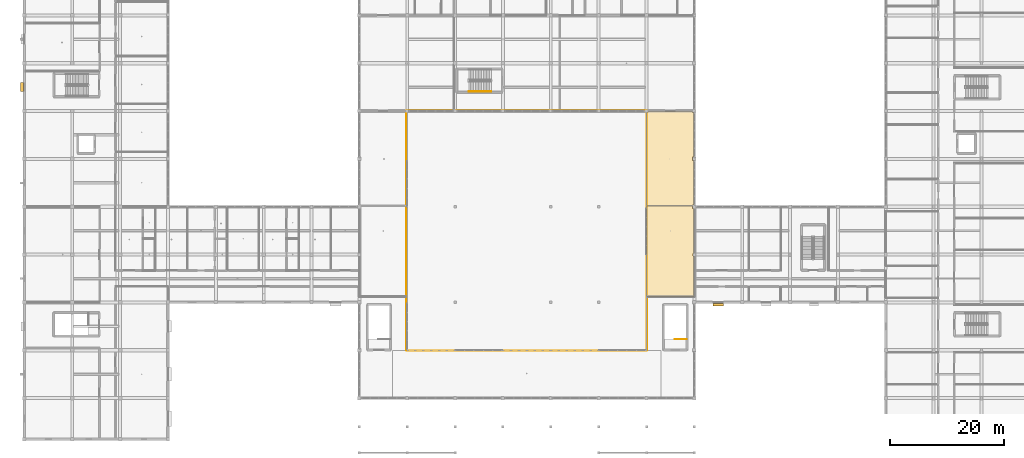
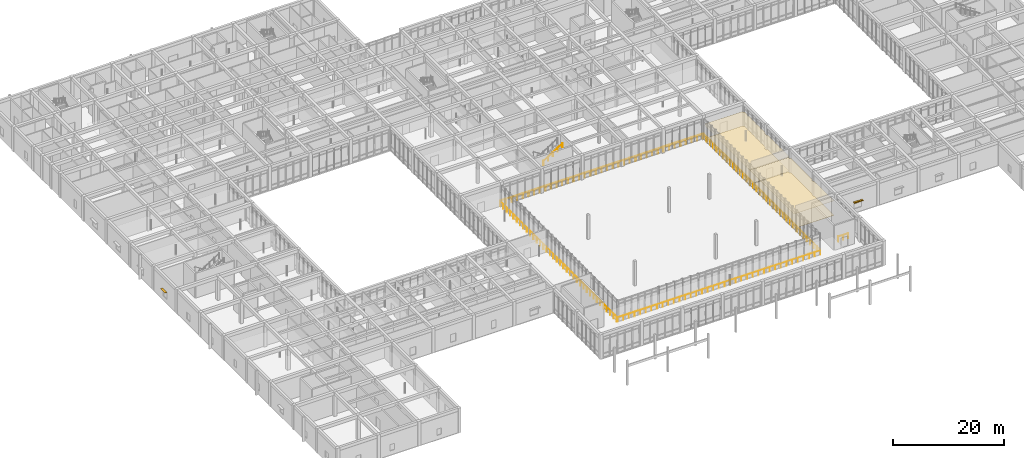
# One storey, part 136 of 157: 6 railings, 4 coverings, 2 shading devices.
"""IFC4 building model written with IfcOpenShell, lengths in metres."""

from ifc_helpers import new_model, si_unit, direction, frame, origin, origin_2d, place, context, subcontext, project, spatial, polyline, rectangle, circle, outline, extrude, material, layer, layer_set, type_object, element, save


model = new_model("IFC4")

# Units and contexts
model_context = context("Model", 3, precision=1e-05, world=origin(), true_north=direction((0.0, 1.0)))
body_context = subcontext(model_context, "Body", "Model", "MODEL_VIEW")
ifc_project = project(units=[si_unit("LENGTHUNIT", "METRE"), si_unit("AREAUNIT", "SQUARE_METRE"), si_unit("VOLUMEUNIT", "CUBIC_METRE"), si_unit("PLANEANGLEUNIT", "RADIAN"), si_unit("MASSUNIT", "GRAM", prefix="KILO")], contexts=[model_context])

# Site, building, storey
site_placement = place(None, origin())
site = spatial("IfcSite", under=ifc_project, at=site_placement, CompositionType="ELEMENT")
building_placement = place(site_placement, origin())
building = spatial("IfcBuilding", under=site, at=building_placement, Name="Varncliffe General Hospital", CompositionType="ELEMENT")
storey_placement = place(building_placement, frame((0.0, 0.0, 5.39990234375)))
storey = spatial("IfcBuildingStorey", under=building, at=storey_placement, Name="L01", CompositionType="ELEMENT", Elevation=5.39990234375)

# Coverings
ifc_material_1 = material(Name="Hygienic antimicrobial acoustic suspended ceiling tile", Category="gypsum")
ifc_layer_1 = layer(ifc_material_1, 0.02490234375)
ifc_layer_set_1 = layer_set([ifc_layer_1], Name="Hygienic antimicrobial acoustic suspended ceiling tile")
covering_type_1 = type_object("IfcCoveringType", Name="Antimicrobial Acoustic Suspended Ceiling CLG44", PredefinedType="CEILING", material=ifc_layer_set_1)
covering_1_placement = place(storey_placement, frame((0.0, 0.0, 3.175048828125)))
element("IfcCovering", 1, at=covering_1_placement, inside=storey, type_object=covering_type_1, Name="L01 Medical Health Sciences Library Suspended Ceiling", PredefinedType="CEILING", context=body_context, shape_type="SweptSolid", body=[
    extrude(outline(polyline([(109.239990234375, 25.0400390625), (109.239990234375, 40.9599609375), (117.300048828125, 40.9599609375), (117.300048828125, 40.5), (117.56005859375, 40.5), (117.56005859375, 32.625), (117.375, 32.625), (117.375, 32.175048828125), (117.56005859375, 32.175048828125), (117.56005859375, 25.0400390625), (109.239990234375, 25.0400390625)])), origin(), (0.0, 0.0, 1.0), 0.025146484375),
])
covering_2_placement = place(storey_placement, frame((0.0, 0.0, 3.175048828125)))
element("IfcCovering", 2, at=covering_2_placement, inside=storey, type_object=covering_type_1, Name="L01 Patient Education and Family Resource Lounge Suspended Ceiling", PredefinedType="CEILING", context=body_context, shape_type="SweptSolid", body=[
    extrude(outline(polyline([(117.300048828125, 41.0400390625), (109.239990234375, 41.0400390625), (109.239990234375, 57.300048828125), (109.5, 57.300048828125), (109.5, 57.56005859375), (117.300048828125, 57.56005859375), (117.300048828125, 57.300048828125), (117.56005859375, 57.300048828125), (117.56005859375, 49.5), (117.300048828125, 49.5), (117.300048828125, 48.89990234375), (117.56005859375, 48.89990234375), (117.56005859375, 41.10009765625), (117.300048828125, 41.10009765625), (117.300048828125, 41.0400390625)])), origin(), (0.0, 0.0, 1.0), 0.025146484375),
])

# Shading devices
ifc_material_2 = material(Name="Dark bronze extruded aluminium solar jalousie louvres", Category="aluminium")
ifc_layer_2 = layer(ifc_material_2, 0.080078125)
ifc_layer_set_2 = layer_set([ifc_layer_2], Name="Dark bronze extruded aluminium solar jalousie louvres")
shading_device_type = type_object("IfcShadingDeviceType", Name="Bronze Solar Jalousie Louvre Hood SHD18", PredefinedType="JALOUSIE", material=ifc_layer_set_2)
shading_device_1_placement = place(storey_placement, frame((-0.425048828125, 61.800048828125, 2.4599609375), z_axis=(0.0, 0.0, 1.0), x_axis=(0.0, 1.0, 0.0)))
element("IfcShadingDevice", 3, at=shading_device_1_placement, inside=storey, type_object=shading_device_type, Name="L01 Bronze Window Sun-Shading Louvre 23", PredefinedType="JALOUSIE", context=body_context, shape_type="SweptSolid", body=[
    extrude(rectangle(XDim=1.550048828125, YDim=0.449951171875, at=origin_2d()), origin(), (0.0, 0.0, 1.0), 0.080078125),
])
shading_device_2_placement = place(storey_placement, frame((121.800048828125, 23.60009765625, 2.4599609375), z_axis=(0.0, 0.0, 1.0), x_axis=(-1.0, 0.0, 0.0)))
element("IfcShadingDevice", 4, at=shading_device_2_placement, inside=storey, type_object=shading_device_type, Name="L01 Bronze Window Sun-Shading Louvre 42", PredefinedType="JALOUSIE", context=body_context, shape_type="SweptSolid", body=[
    extrude(rectangle(XDim=1.85009765625, YDim=0.449951171875, at=origin_2d()), origin(), (0.0, 0.0, 1.0), 0.080078125),
])

# Coverings
ifc_material_3 = material(Name="Seamless welded hospital sheet linoleum and terrazzo flooring", Category="linoleum")
ifc_layer_3 = layer(ifc_material_3, 0.011962890625)
ifc_layer_set_3 = layer_set([ifc_layer_3], Name="Seamless welded hospital sheet linoleum and terrazzo flooring")
covering_type_2 = type_object("IfcCoveringType", Name="Seamless Hospital Linoleum Flooring FLR19", PredefinedType="FLOORING", material=ifc_layer_set_3)
covering_3_placement = place(storey_placement, origin())
element("IfcCovering", 5, at=covering_3_placement, inside=storey, type_object=covering_type_2, Name="L01 Medical Health Sciences Library Seamless Flooring", PredefinedType="FLOORING", context=body_context, shape_type="SweptSolid", body=[
    extrude(outline(polyline([(109.239990234375, 25.0400390625), (109.239990234375, 40.9599609375), (117.300048828125, 40.9599609375), (117.300048828125, 40.5), (117.56005859375, 40.5), (117.56005859375, 32.625), (117.375, 32.625), (117.375, 32.175048828125), (117.56005859375, 32.175048828125), (117.56005859375, 25.0400390625), (109.239990234375, 25.0400390625)])), origin(), (0.0, 0.0, 1.0), 0.01220703125),
])
covering_4_placement = place(storey_placement, origin())
element("IfcCovering", 6, at=covering_4_placement, inside=storey, type_object=covering_type_2, Name="L01 Patient Education and Family Resource Lounge Seamless Flooring", PredefinedType="FLOORING", context=body_context, shape_type="SweptSolid", body=[
    extrude(outline(polyline([(117.300048828125, 41.0400390625), (109.239990234375, 41.0400390625), (109.239990234375, 57.300048828125), (109.5, 57.300048828125), (109.5, 57.56005859375), (117.300048828125, 57.56005859375), (117.300048828125, 57.300048828125), (117.56005859375, 57.300048828125), (117.56005859375, 49.5), (117.300048828125, 49.5), (117.300048828125, 48.89990234375), (117.56005859375, 48.89990234375), (117.56005859375, 41.10009765625), (117.300048828125, 41.10009765625), (117.300048828125, 41.0400390625)])), origin(), (0.0, 0.0, 1.0), 0.01220703125),
])

# Railings
ifc_material_4 = material(Name="Powder-coated wrought-iron and bronze balustrade", Category="steel")
railing_type_1 = type_object("IfcRailingType", Name="Spanish Colonial Wrought-Iron Terrace Balustrade BL44", PredefinedType="BALUSTRADE", material=ifc_material_4)
railing_1_placement = place(storey_placement, frame((67.1201171875, 15.52001953125, 0.0)))
element("IfcRailing", 7, at=railing_1_placement, inside=storey, type_object=railing_type_1, Name="L01 Main Hall Concourse Overlook Balustrade 1", PredefinedType="BALUSTRADE", context=body_context, shape_type="SweptSolid", body=[
    extrude(circle(Radius=0.02392578125, at=origin_2d()), frame((0.0, 0.0, 1.076171875), z_axis=(1.0, 0.0, 0.0), x_axis=(0.0, 1.0, 0.0)), (0.0, 0.0, 1.0), 42.079833984375),
    extrude(circle(Radius=0.02099609375, at=origin_2d()), origin(), (0.0, 0.0, 1.0), 1.052001953125),
    extrude(circle(Radius=0.02099609375, at=origin_2d()), frame((1.1689453125, 0.0, 0.0)), (0.0, 0.0, 1.0), 1.052001953125),
    extrude(circle(Radius=0.02099609375, at=origin_2d()), frame((2.337890625, 0.0, 0.0)), (0.0, 0.0, 1.0), 1.052001953125),
    extrude(circle(Radius=0.02099609375, at=origin_2d()), frame((3.506591796875, 0.0, 0.0)), (0.0, 0.0, 1.0), 1.052001953125),
    extrude(circle(Radius=0.02099609375, at=origin_2d()), frame((4.675537109375, 0.0, 0.0)), (0.0, 0.0, 1.0), 1.052001953125),
    extrude(circle(Radius=0.02099609375, at=origin_2d()), frame((5.844482421875, 0.0, 0.0)), (0.0, 0.0, 1.0), 1.052001953125),
    extrude(circle(Radius=0.02099609375, at=origin_2d()), frame((7.01318359375, 0.0, 0.0)), (0.0, 0.0, 1.0), 1.052001953125),
    extrude(circle(Radius=0.02099609375, at=origin_2d()), frame((8.18212890625, 0.0, 0.0)), (0.0, 0.0, 1.0), 1.052001953125),
    extrude(circle(Radius=0.02099609375, at=origin_2d()), frame((9.35107421875, 0.0, 0.0)), (0.0, 0.0, 1.0), 1.052001953125),
    extrude(circle(Radius=0.02099609375, at=origin_2d()), frame((10.52001953125, 0.0, 0.0)), (0.0, 0.0, 1.0), 1.052001953125),
    extrude(circle(Radius=0.02099609375, at=origin_2d()), frame((11.68896484375, 0.0, 0.0)), (0.0, 0.0, 1.0), 1.052001953125),
    extrude(circle(Radius=0.02099609375, at=origin_2d()), frame((12.857666015625, 0.0, 0.0)), (0.0, 0.0, 1.0), 1.052001953125),
    extrude(circle(Radius=0.02099609375, at=origin_2d()), frame((14.026611328125, 0.0, 0.0)), (0.0, 0.0, 1.0), 1.052001953125),
    extrude(circle(Radius=0.02099609375, at=origin_2d()), frame((15.195556640625, 0.0, 0.0)), (0.0, 0.0, 1.0), 1.052001953125),
    extrude(circle(Radius=0.02099609375, at=origin_2d()), frame((16.3642578125, 0.0, 0.0)), (0.0, 0.0, 1.0), 1.052001953125),
    extrude(circle(Radius=0.02099609375, at=origin_2d()), frame((17.533203125, 0.0, 0.0)), (0.0, 0.0, 1.0), 1.052001953125),
    extrude(circle(Radius=0.02099609375, at=origin_2d()), frame((18.7021484375, 0.0, 0.0)), (0.0, 0.0, 1.0), 1.052001953125),
    extrude(circle(Radius=0.02099609375, at=origin_2d()), frame((19.87109375, 0.0, 0.0)), (0.0, 0.0, 1.0), 1.052001953125),
    extrude(circle(Radius=0.02099609375, at=origin_2d()), frame((21.0400390625, 0.0, 0.0)), (0.0, 0.0, 1.0), 1.052001953125),
    extrude(circle(Radius=0.02099609375, at=origin_2d()), frame((22.208740234375, 0.0, 0.0)), (0.0, 0.0, 1.0), 1.052001953125),
    extrude(circle(Radius=0.02099609375, at=origin_2d()), frame((23.377685546875, 0.0, 0.0)), (0.0, 0.0, 1.0), 1.052001953125),
    extrude(circle(Radius=0.02099609375, at=origin_2d()), frame((24.546630859375, 0.0, 0.0)), (0.0, 0.0, 1.0), 1.052001953125),
    extrude(circle(Radius=0.02099609375, at=origin_2d()), frame((25.715576171875, 0.0, 0.0)), (0.0, 0.0, 1.0), 1.052001953125),
    extrude(circle(Radius=0.02099609375, at=origin_2d()), frame((26.88427734375, 0.0, 0.0)), (0.0, 0.0, 1.0), 1.052001953125),
    extrude(circle(Radius=0.02099609375, at=origin_2d()), frame((28.05322265625, 0.0, 0.0)), (0.0, 0.0, 1.0), 1.052001953125),
    extrude(circle(Radius=0.02099609375, at=origin_2d()), frame((29.22216796875, 0.0, 0.0)), (0.0, 0.0, 1.0), 1.052001953125),
    extrude(circle(Radius=0.02099609375, at=origin_2d()), frame((30.39111328125, 0.0, 0.0)), (0.0, 0.0, 1.0), 1.052001953125),
    extrude(circle(Radius=0.02099609375, at=origin_2d()), frame((31.559814453125, 0.0, 0.0)), (0.0, 0.0, 1.0), 1.052001953125),
    extrude(circle(Radius=0.02099609375, at=origin_2d()), frame((32.728759765625, 0.0, 0.0)), (0.0, 0.0, 1.0), 1.052001953125),
    extrude(circle(Radius=0.02099609375, at=origin_2d()), frame((33.897705078125, 0.0, 0.0)), (0.0, 0.0, 1.0), 1.052001953125),
    extrude(circle(Radius=0.02099609375, at=origin_2d()), frame((35.06640625, 0.0, 0.0)), (0.0, 0.0, 1.0), 1.052001953125),
    extrude(circle(Radius=0.02099609375, at=origin_2d()), frame((36.2353515625, 0.0, 0.0)), (0.0, 0.0, 1.0), 1.052001953125),
    extrude(circle(Radius=0.02099609375, at=origin_2d()), frame((37.404296875, 0.0, 0.0)), (0.0, 0.0, 1.0), 1.052001953125),
    extrude(circle(Radius=0.02099609375, at=origin_2d()), frame((38.5732421875, 0.0, 0.0)), (0.0, 0.0, 1.0), 1.052001953125),
    extrude(circle(Radius=0.02099609375, at=origin_2d()), frame((39.7421875, 0.0, 0.0)), (0.0, 0.0, 1.0), 1.052001953125),
    extrude(circle(Radius=0.02099609375, at=origin_2d()), frame((40.910888671875, 0.0, 0.0)), (0.0, 0.0, 1.0), 1.052001953125),
    extrude(circle(Radius=0.02099609375, at=origin_2d()), frame((42.079833984375, 0.0, 0.0)), (0.0, 0.0, 1.0), 1.052001953125),
])
railing_2_placement = place(storey_placement, frame((109.280029296875, 15.60009765625, 0.0)))
element("IfcRailing", 8, at=railing_2_placement, inside=storey, type_object=railing_type_1, Name="L01 Main Hall Concourse Overlook Balustrade 2", PredefinedType="BALUSTRADE", context=body_context, shape_type="SweptSolid", body=[
    extrude(circle(Radius=0.02392578125, at=origin_2d()), frame((0.0, 0.0, 1.076171875), z_axis=(0.0, 1.0, 0.0), x_axis=(-1.0, 0.0, 0.0)), (0.0, 0.0, 1.0), 42.0),
    extrude(circle(Radius=0.02099609375, at=origin_2d()), origin(), (0.0, 0.0, 1.0), 1.052001953125),
    extrude(circle(Radius=0.02099609375, at=origin_2d()), frame((0.0, 1.199951171875, 0.0)), (0.0, 0.0, 1.0), 1.052001953125),
    extrude(circle(Radius=0.02099609375, at=origin_2d()), frame((0.0, 2.39990234375, 0.0)), (0.0, 0.0, 1.0), 1.052001953125),
    extrude(circle(Radius=0.02099609375, at=origin_2d()), frame((0.0, 3.60009765625, 0.0)), (0.0, 0.0, 1.0), 1.052001953125),
    extrude(circle(Radius=0.02099609375, at=origin_2d()), frame((0.0, 4.800048828125, 0.0)), (0.0, 0.0, 1.0), 1.052001953125),
    extrude(circle(Radius=0.02099609375, at=origin_2d()), frame((0.0, 6.0, 0.0)), (0.0, 0.0, 1.0), 1.052001953125),
    extrude(circle(Radius=0.02099609375, at=origin_2d()), frame((0.0, 7.199951171875, 0.0)), (0.0, 0.0, 1.0), 1.052001953125),
    extrude(circle(Radius=0.02099609375, at=origin_2d()), frame((0.0, 8.39990234375, 0.0)), (0.0, 0.0, 1.0), 1.052001953125),
    extrude(circle(Radius=0.02099609375, at=origin_2d()), frame((0.0, 9.60009765625, 0.0)), (0.0, 0.0, 1.0), 1.052001953125),
    extrude(circle(Radius=0.02099609375, at=origin_2d()), frame((0.0, 10.800048828125, 0.0)), (0.0, 0.0, 1.0), 1.052001953125),
    extrude(circle(Radius=0.02099609375, at=origin_2d()), frame((0.0, 12.0, 0.0)), (0.0, 0.0, 1.0), 1.052001953125),
    extrude(circle(Radius=0.02099609375, at=origin_2d()), frame((0.0, 13.199951171875, 0.0)), (0.0, 0.0, 1.0), 1.052001953125),
    extrude(circle(Radius=0.02099609375, at=origin_2d()), frame((0.0, 14.39990234375, 0.0)), (0.0, 0.0, 1.0), 1.052001953125),
    extrude(circle(Radius=0.02099609375, at=origin_2d()), frame((0.0, 15.60009765625, 0.0)), (0.0, 0.0, 1.0), 1.052001953125),
    extrude(circle(Radius=0.02099609375, at=origin_2d()), frame((0.0, 16.800048828125, 0.0)), (0.0, 0.0, 1.0), 1.052001953125),
    extrude(circle(Radius=0.02099609375, at=origin_2d()), frame((0.0, 18.0, 0.0)), (0.0, 0.0, 1.0), 1.052001953125),
    extrude(circle(Radius=0.02099609375, at=origin_2d()), frame((0.0, 19.199951171875, 0.0)), (0.0, 0.0, 1.0), 1.052001953125),
    extrude(circle(Radius=0.02099609375, at=origin_2d()), frame((0.0, 20.39990234375, 0.0)), (0.0, 0.0, 1.0), 1.052001953125),
    extrude(circle(Radius=0.02099609375, at=origin_2d()), frame((0.0, 21.60009765625, 0.0)), (0.0, 0.0, 1.0), 1.052001953125),
    extrude(circle(Radius=0.02099609375, at=origin_2d()), frame((0.0, 22.800048828125, 0.0)), (0.0, 0.0, 1.0), 1.052001953125),
    extrude(circle(Radius=0.02099609375, at=origin_2d()), frame((0.0, 24.0, 0.0)), (0.0, 0.0, 1.0), 1.052001953125),
    extrude(circle(Radius=0.02099609375, at=origin_2d()), frame((0.0, 25.199951171875, 0.0)), (0.0, 0.0, 1.0), 1.052001953125),
    extrude(circle(Radius=0.02099609375, at=origin_2d()), frame((0.0, 26.39990234375, 0.0)), (0.0, 0.0, 1.0), 1.052001953125),
    extrude(circle(Radius=0.02099609375, at=origin_2d()), frame((0.0, 27.60009765625, 0.0)), (0.0, 0.0, 1.0), 1.052001953125),
    extrude(circle(Radius=0.02099609375, at=origin_2d()), frame((0.0, 28.800048828125, 0.0)), (0.0, 0.0, 1.0), 1.052001953125),
    extrude(circle(Radius=0.02099609375, at=origin_2d()), frame((0.0, 30.0, 0.0)), (0.0, 0.0, 1.0), 1.052001953125),
    extrude(circle(Radius=0.02099609375, at=origin_2d()), frame((0.0, 31.199951171875, 0.0)), (0.0, 0.0, 1.0), 1.052001953125),
    extrude(circle(Radius=0.02099609375, at=origin_2d()), frame((0.0, 32.39990234375, 0.0)), (0.0, 0.0, 1.0), 1.052001953125),
    extrude(circle(Radius=0.02099609375, at=origin_2d()), frame((0.0, 33.60009765625, 0.0)), (0.0, 0.0, 1.0), 1.052001953125),
    extrude(circle(Radius=0.02099609375, at=origin_2d()), frame((0.0, 34.800048828125, 0.0)), (0.0, 0.0, 1.0), 1.052001953125),
    extrude(circle(Radius=0.02099609375, at=origin_2d()), frame((0.0, 36.0, 0.0)), (0.0, 0.0, 1.0), 1.052001953125),
    extrude(circle(Radius=0.02099609375, at=origin_2d()), frame((0.0, 37.199951171875, 0.0)), (0.0, 0.0, 1.0), 1.052001953125),
    extrude(circle(Radius=0.02099609375, at=origin_2d()), frame((0.0, 38.39990234375, 0.0)), (0.0, 0.0, 1.0), 1.052001953125),
    extrude(circle(Radius=0.02099609375, at=origin_2d()), frame((0.0, 39.60009765625, 0.0)), (0.0, 0.0, 1.0), 1.052001953125),
    extrude(circle(Radius=0.02099609375, at=origin_2d()), frame((0.0, 40.800048828125, 0.0)), (0.0, 0.0, 1.0), 1.052001953125),
    extrude(circle(Radius=0.02099609375, at=origin_2d()), frame((0.0, 42.0, 0.0)), (0.0, 0.0, 1.0), 1.052001953125),
])
railing_3_placement = place(storey_placement, frame((109.199951171875, 57.679931640625, 0.0)))
element("IfcRailing", 9, at=railing_3_placement, inside=storey, type_object=railing_type_1, Name="L01 Main Hall Concourse Overlook Balustrade 3", PredefinedType="BALUSTRADE", context=body_context, shape_type="SweptSolid", body=[
    extrude(circle(Radius=0.02392578125, at=origin_2d()), frame((0.0, 0.0, 1.076171875), z_axis=(-1.0, 0.0, 0.0), x_axis=(0.0, -1.0, 0.0)), (0.0, 0.0, 1.0), 42.079833984375),
    extrude(circle(Radius=0.02099609375, at=origin_2d()), origin(), (0.0, 0.0, 1.0), 1.052001953125),
    extrude(circle(Radius=0.02099609375, at=origin_2d()), frame((-1.1689453125, 0.0, 0.0)), (0.0, 0.0, 1.0), 1.052001953125),
    extrude(circle(Radius=0.02099609375, at=origin_2d()), frame((-2.337890625, 0.0, 0.0)), (0.0, 0.0, 1.0), 1.052001953125),
    extrude(circle(Radius=0.02099609375, at=origin_2d()), frame((-3.506591796875, 0.0, 0.0)), (0.0, 0.0, 1.0), 1.052001953125),
    extrude(circle(Radius=0.02099609375, at=origin_2d()), frame((-4.675537109375, 0.0, 0.0)), (0.0, 0.0, 1.0), 1.052001953125),
    extrude(circle(Radius=0.02099609375, at=origin_2d()), frame((-5.844482421875, 0.0, 0.0)), (0.0, 0.0, 1.0), 1.052001953125),
    extrude(circle(Radius=0.02099609375, at=origin_2d()), frame((-7.01318359375, 0.0, 0.0)), (0.0, 0.0, 1.0), 1.052001953125),
    extrude(circle(Radius=0.02099609375, at=origin_2d()), frame((-8.18212890625, 0.0, 0.0)), (0.0, 0.0, 1.0), 1.052001953125),
    extrude(circle(Radius=0.02099609375, at=origin_2d()), frame((-9.35107421875, 0.0, 0.0)), (0.0, 0.0, 1.0), 1.052001953125),
    extrude(circle(Radius=0.02099609375, at=origin_2d()), frame((-10.52001953125, 0.0, 0.0)), (0.0, 0.0, 1.0), 1.052001953125),
    extrude(circle(Radius=0.02099609375, at=origin_2d()), frame((-11.68896484375, 0.0, 0.0)), (0.0, 0.0, 1.0), 1.052001953125),
    extrude(circle(Radius=0.02099609375, at=origin_2d()), frame((-12.857666015625, 0.0, 0.0)), (0.0, 0.0, 1.0), 1.052001953125),
    extrude(circle(Radius=0.02099609375, at=origin_2d()), frame((-14.026611328125, 0.0, 0.0)), (0.0, 0.0, 1.0), 1.052001953125),
    extrude(circle(Radius=0.02099609375, at=origin_2d()), frame((-15.195556640625, 0.0, 0.0)), (0.0, 0.0, 1.0), 1.052001953125),
    extrude(circle(Radius=0.02099609375, at=origin_2d()), frame((-16.3642578125, 0.0, 0.0)), (0.0, 0.0, 1.0), 1.052001953125),
    extrude(circle(Radius=0.02099609375, at=origin_2d()), frame((-17.533203125, 0.0, 0.0)), (0.0, 0.0, 1.0), 1.052001953125),
    extrude(circle(Radius=0.02099609375, at=origin_2d()), frame((-18.7021484375, 0.0, 0.0)), (0.0, 0.0, 1.0), 1.052001953125),
    extrude(circle(Radius=0.02099609375, at=origin_2d()), frame((-19.87109375, 0.0, 0.0)), (0.0, 0.0, 1.0), 1.052001953125),
    extrude(circle(Radius=0.02099609375, at=origin_2d()), frame((-21.0400390625, 0.0, 0.0)), (0.0, 0.0, 1.0), 1.052001953125),
    extrude(circle(Radius=0.02099609375, at=origin_2d()), frame((-22.208740234375, 0.0, 0.0)), (0.0, 0.0, 1.0), 1.052001953125),
    extrude(circle(Radius=0.02099609375, at=origin_2d()), frame((-23.377685546875, 0.0, 0.0)), (0.0, 0.0, 1.0), 1.052001953125),
    extrude(circle(Radius=0.02099609375, at=origin_2d()), frame((-24.546630859375, 0.0, 0.0)), (0.0, 0.0, 1.0), 1.052001953125),
    extrude(circle(Radius=0.02099609375, at=origin_2d()), frame((-25.715576171875, 0.0, 0.0)), (0.0, 0.0, 1.0), 1.052001953125),
    extrude(circle(Radius=0.02099609375, at=origin_2d()), frame((-26.88427734375, 0.0, 0.0)), (0.0, 0.0, 1.0), 1.052001953125),
    extrude(circle(Radius=0.02099609375, at=origin_2d()), frame((-28.05322265625, 0.0, 0.0)), (0.0, 0.0, 1.0), 1.052001953125),
    extrude(circle(Radius=0.02099609375, at=origin_2d()), frame((-29.22216796875, 0.0, 0.0)), (0.0, 0.0, 1.0), 1.052001953125),
    extrude(circle(Radius=0.02099609375, at=origin_2d()), frame((-30.39111328125, 0.0, 0.0)), (0.0, 0.0, 1.0), 1.052001953125),
    extrude(circle(Radius=0.02099609375, at=origin_2d()), frame((-31.559814453125, 0.0, 0.0)), (0.0, 0.0, 1.0), 1.052001953125),
    extrude(circle(Radius=0.02099609375, at=origin_2d()), frame((-32.728759765625, 0.0, 0.0)), (0.0, 0.0, 1.0), 1.052001953125),
    extrude(circle(Radius=0.02099609375, at=origin_2d()), frame((-33.897705078125, 0.0, 0.0)), (0.0, 0.0, 1.0), 1.052001953125),
    extrude(circle(Radius=0.02099609375, at=origin_2d()), frame((-35.06640625, 0.0, 0.0)), (0.0, 0.0, 1.0), 1.052001953125),
    extrude(circle(Radius=0.02099609375, at=origin_2d()), frame((-36.2353515625, 0.0, 0.0)), (0.0, 0.0, 1.0), 1.052001953125),
    extrude(circle(Radius=0.02099609375, at=origin_2d()), frame((-37.404296875, 0.0, 0.0)), (0.0, 0.0, 1.0), 1.052001953125),
    extrude(circle(Radius=0.02099609375, at=origin_2d()), frame((-38.5732421875, 0.0, 0.0)), (0.0, 0.0, 1.0), 1.052001953125),
    extrude(circle(Radius=0.02099609375, at=origin_2d()), frame((-39.7421875, 0.0, 0.0)), (0.0, 0.0, 1.0), 1.052001953125),
    extrude(circle(Radius=0.02099609375, at=origin_2d()), frame((-40.910888671875, 0.0, 0.0)), (0.0, 0.0, 1.0), 1.052001953125),
    extrude(circle(Radius=0.02099609375, at=origin_2d()), frame((-42.079833984375, 0.0, 0.0)), (0.0, 0.0, 1.0), 1.052001953125),
])
railing_4_placement = place(storey_placement, frame((67.0400390625, 57.60009765625, 0.0)))
element("IfcRailing", 10, at=railing_4_placement, inside=storey, type_object=railing_type_1, Name="L01 Main Hall Concourse Overlook Balustrade 4", PredefinedType="BALUSTRADE", context=body_context, shape_type="SweptSolid", body=[
    extrude(circle(Radius=0.02392578125, at=origin_2d()), frame((0.0, 0.0, 1.076171875), z_axis=(0.0, -1.0, 0.0), x_axis=(1.0, 0.0, 0.0)), (0.0, 0.0, 1.0), 42.0),
    extrude(circle(Radius=0.02099609375, at=origin_2d()), origin(), (0.0, 0.0, 1.0), 1.052001953125),
    extrude(circle(Radius=0.02099609375, at=origin_2d()), frame((0.0, -1.199951171875, 0.0)), (0.0, 0.0, 1.0), 1.052001953125),
    extrude(circle(Radius=0.02099609375, at=origin_2d()), frame((0.0, -2.39990234375, 0.0)), (0.0, 0.0, 1.0), 1.052001953125),
    extrude(circle(Radius=0.02099609375, at=origin_2d()), frame((0.0, -3.60009765625, 0.0)), (0.0, 0.0, 1.0), 1.052001953125),
    extrude(circle(Radius=0.02099609375, at=origin_2d()), frame((0.0, -4.800048828125, 0.0)), (0.0, 0.0, 1.0), 1.052001953125),
    extrude(circle(Radius=0.02099609375, at=origin_2d()), frame((0.0, -6.0, 0.0)), (0.0, 0.0, 1.0), 1.052001953125),
    extrude(circle(Radius=0.02099609375, at=origin_2d()), frame((0.0, -7.199951171875, 0.0)), (0.0, 0.0, 1.0), 1.052001953125),
    extrude(circle(Radius=0.02099609375, at=origin_2d()), frame((0.0, -8.39990234375, 0.0)), (0.0, 0.0, 1.0), 1.052001953125),
    extrude(circle(Radius=0.02099609375, at=origin_2d()), frame((0.0, -9.60009765625, 0.0)), (0.0, 0.0, 1.0), 1.052001953125),
    extrude(circle(Radius=0.02099609375, at=origin_2d()), frame((0.0, -10.800048828125, 0.0)), (0.0, 0.0, 1.0), 1.052001953125),
    extrude(circle(Radius=0.02099609375, at=origin_2d()), frame((0.0, -12.0, 0.0)), (0.0, 0.0, 1.0), 1.052001953125),
    extrude(circle(Radius=0.02099609375, at=origin_2d()), frame((0.0, -13.199951171875, 0.0)), (0.0, 0.0, 1.0), 1.052001953125),
    extrude(circle(Radius=0.02099609375, at=origin_2d()), frame((0.0, -14.39990234375, 0.0)), (0.0, 0.0, 1.0), 1.052001953125),
    extrude(circle(Radius=0.02099609375, at=origin_2d()), frame((0.0, -15.60009765625, 0.0)), (0.0, 0.0, 1.0), 1.052001953125),
    extrude(circle(Radius=0.02099609375, at=origin_2d()), frame((0.0, -16.800048828125, 0.0)), (0.0, 0.0, 1.0), 1.052001953125),
    extrude(circle(Radius=0.02099609375, at=origin_2d()), frame((0.0, -18.0, 0.0)), (0.0, 0.0, 1.0), 1.052001953125),
    extrude(circle(Radius=0.02099609375, at=origin_2d()), frame((0.0, -19.199951171875, 0.0)), (0.0, 0.0, 1.0), 1.052001953125),
    extrude(circle(Radius=0.02099609375, at=origin_2d()), frame((0.0, -20.39990234375, 0.0)), (0.0, 0.0, 1.0), 1.052001953125),
    extrude(circle(Radius=0.02099609375, at=origin_2d()), frame((0.0, -21.60009765625, 0.0)), (0.0, 0.0, 1.0), 1.052001953125),
    extrude(circle(Radius=0.02099609375, at=origin_2d()), frame((0.0, -22.800048828125, 0.0)), (0.0, 0.0, 1.0), 1.052001953125),
    extrude(circle(Radius=0.02099609375, at=origin_2d()), frame((0.0, -24.0, 0.0)), (0.0, 0.0, 1.0), 1.052001953125),
    extrude(circle(Radius=0.02099609375, at=origin_2d()), frame((0.0, -25.199951171875, 0.0)), (0.0, 0.0, 1.0), 1.052001953125),
    extrude(circle(Radius=0.02099609375, at=origin_2d()), frame((0.0, -26.39990234375, 0.0)), (0.0, 0.0, 1.0), 1.052001953125),
    extrude(circle(Radius=0.02099609375, at=origin_2d()), frame((0.0, -27.60009765625, 0.0)), (0.0, 0.0, 1.0), 1.052001953125),
    extrude(circle(Radius=0.02099609375, at=origin_2d()), frame((0.0, -28.800048828125, 0.0)), (0.0, 0.0, 1.0), 1.052001953125),
    extrude(circle(Radius=0.02099609375, at=origin_2d()), frame((0.0, -30.0, 0.0)), (0.0, 0.0, 1.0), 1.052001953125),
    extrude(circle(Radius=0.02099609375, at=origin_2d()), frame((0.0, -31.199951171875, 0.0)), (0.0, 0.0, 1.0), 1.052001953125),
    extrude(circle(Radius=0.02099609375, at=origin_2d()), frame((0.0, -32.39990234375, 0.0)), (0.0, 0.0, 1.0), 1.052001953125),
    extrude(circle(Radius=0.02099609375, at=origin_2d()), frame((0.0, -33.60009765625, 0.0)), (0.0, 0.0, 1.0), 1.052001953125),
    extrude(circle(Radius=0.02099609375, at=origin_2d()), frame((0.0, -34.800048828125, 0.0)), (0.0, 0.0, 1.0), 1.052001953125),
    extrude(circle(Radius=0.02099609375, at=origin_2d()), frame((0.0, -36.0, 0.0)), (0.0, 0.0, 1.0), 1.052001953125),
    extrude(circle(Radius=0.02099609375, at=origin_2d()), frame((0.0, -37.199951171875, 0.0)), (0.0, 0.0, 1.0), 1.052001953125),
    extrude(circle(Radius=0.02099609375, at=origin_2d()), frame((0.0, -38.39990234375, 0.0)), (0.0, 0.0, 1.0), 1.052001953125),
    extrude(circle(Radius=0.02099609375, at=origin_2d()), frame((0.0, -39.60009765625, 0.0)), (0.0, 0.0, 1.0), 1.052001953125),
    extrude(circle(Radius=0.02099609375, at=origin_2d()), frame((0.0, -40.800048828125, 0.0)), (0.0, 0.0, 1.0), 1.052001953125),
    extrude(circle(Radius=0.02099609375, at=origin_2d()), frame((0.0, -42.0, 0.0)), (0.0, 0.0, 1.0), 1.052001953125),
])
ifc_material_5 = material(Name="Powder-coated hospital steel guardrail and handrail", Category="steel")
railing_type_2 = type_object("IfcRailingType", Name="Stair and Ramp Handrail HR46", PredefinedType="HANDRAIL", material=ifc_material_5)
railing_5_placement = place(storey_placement, frame((78.030029296875, 61.050048828125, 3.064208984375)))
element("IfcRailing", 11, at=railing_5_placement, inside=storey, type_object=railing_type_2, Name="L01 ST16 stair handrail 2", PredefinedType="HANDRAIL", context=body_context, shape_type="SweptSolid", body=[
    extrude(circle(Radius=0.02392578125, at=origin_2d()), frame((0.0, 0.0, 0.8759765625), z_axis=(0.84119549742, 0.0, 0.540731111663), x_axis=(0.0, 1.0, 0.0)), (0.0, 0.0, 1.0), 4.659912109375),
    extrude(circle(Radius=0.02099609375, at=origin_2d()), origin(), (0.0, 0.0, 1.0), 0.851806640625),
    extrude(circle(Radius=0.02099609375, at=origin_2d()), frame((0.97998046875, 0.0, 0.6298828125)), (0.0, 0.0, 1.0), 0.851806640625),
    extrude(circle(Radius=0.02099609375, at=origin_2d()), frame((1.9599609375, 0.0, 1.259765625)), (0.0, 0.0, 1.0), 0.851806640625),
    extrude(circle(Radius=0.02099609375, at=origin_2d()), frame((2.93994140625, 0.0, 1.889892578125)), (0.0, 0.0, 1.0), 0.851806640625),
    extrude(circle(Radius=0.02099609375, at=origin_2d()), frame((3.919921875, 0.0, 2.519775390625)), (0.0, 0.0, 1.0), 0.851806640625),
])
railing_type_3 = type_object("IfcRailingType", Name="Stairwell Guardrail SG49", PredefinedType="GUARDRAIL", material=ifc_material_5)
railing_6_placement = place(storey_placement, frame((116.199951171875, 17.550048828125, 0.0)))
element("IfcRailing", 12, at=railing_6_placement, inside=storey, type_object=railing_type_3, Name="L01 ST10 top well guard 1", PredefinedType="GUARDRAIL", context=body_context, shape_type="SweptSolid", body=[
    extrude(circle(Radius=0.02392578125, at=origin_2d()), frame((0.0, 0.0, 1.076171875), z_axis=(-1.0, 0.0, 0.0), x_axis=(0.0, -1.0, 0.0)), (0.0, 0.0, 1.0), 2.050048828125),
    extrude(circle(Radius=0.02099609375, at=origin_2d()), origin(), (0.0, 0.0, 1.0), 1.052001953125),
    extrude(circle(Radius=0.02099609375, at=origin_2d()), frame((-1.02490234375, 0.0, 0.0)), (0.0, 0.0, 1.0), 1.052001953125),
    extrude(circle(Radius=0.02099609375, at=origin_2d()), frame((-2.050048828125, 0.0, 0.0)), (0.0, 0.0, 1.0), 1.052001953125),
])

save(model, "model.ifc")
